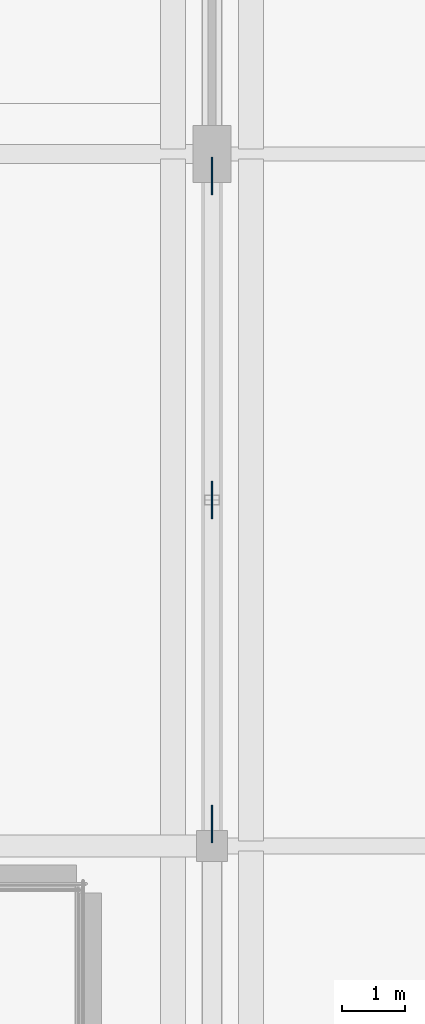
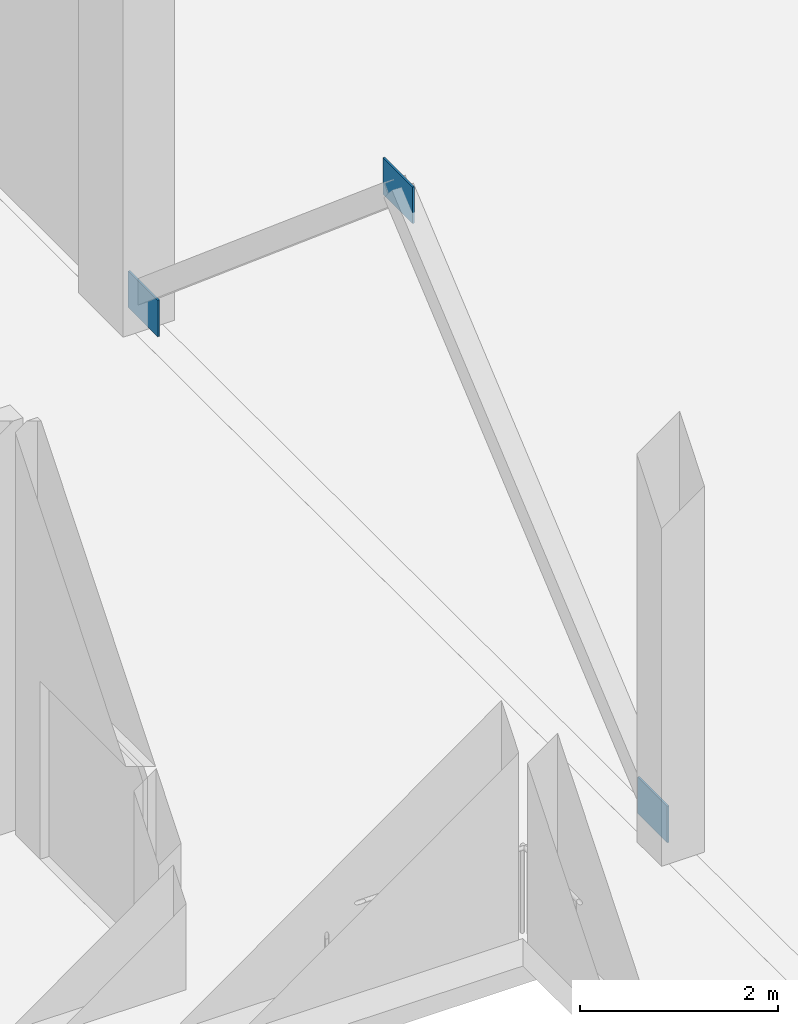
# One storey, part 53 of 120: 3 plates.
"""IFC4 building model written with IfcOpenShell, lengths in metres."""

from ifc_helpers import new_model, si_unit, direction, frame, origin, origin_2d, place, context, subcontext, project, spatial, rectangle, extrude, material, layer, layer_set, type_object, element, save


model = new_model("IFC4")

# Units and contexts
model_context = context("Model", 3, precision=1e-05, world=origin(), true_north=direction((0.0, 1.0)))
body_context = subcontext(model_context, "Body", "Model", "MODEL_VIEW")
ifc_project = project(units=[si_unit("LENGTHUNIT", "METRE"), si_unit("AREAUNIT", "SQUARE_METRE"), si_unit("VOLUMEUNIT", "CUBIC_METRE"), si_unit("PLANEANGLEUNIT", "RADIAN"), si_unit("MASSUNIT", "GRAM", prefix="KILO")], contexts=[model_context])

# Site, building, storey
site_placement = place(None, origin())
site = spatial("IfcSite", under=ifc_project, at=site_placement, CompositionType="ELEMENT")
building_placement = place(site_placement, origin())
building = spatial("IfcBuilding", under=site, at=building_placement, Name="Luwafu Chhajja Arena", CompositionType="ELEMENT")
storey_placement = place(building_placement, origin())
storey = spatial("IfcBuildingStorey", under=building, at=storey_placement, Name="L00", CompositionType="ELEMENT", Elevation=0.0)

# Plates
ifc_material = material(Name="Steel S355", Category="steel")
ifc_layer = layer(ifc_material, 0.02197265625, Name="Steel S355")
ifc_layer_set = layer_set([ifc_layer], Name="Steel S355")
plate_type = type_object("IfcPlateType", Name="Lateral Brace Gusset Plate BN-1", PredefinedType="USERDEFINED", material=ifc_layer_set)
for number, where, z_axis, x_axis, name in (
    (1, (164.0, 27.5, 4.544921875), (0.0, 0.0, 1.0), (1.0, 0.0, 0.0), "L00 Chevron Apex Gusset Plate BN-1 07"),
    (2, (164.0, 22.35009765625, 0.02490234375), (0.0, 0.0, 1.0), (1.0, 0.0, 0.0), "L00 Brace Base Gusset BN-1 07A"),
    (3, (164.0, 32.64990234375, 0.02490234375), (0.0, 0.0, 1.0), (1.0, 0.0, 0.0), "L00 Brace Base Gusset BN-1 07B"),
):
    element("IfcPlate", number, at=place(storey_placement, frame(where, z_axis=z_axis, x_axis=x_axis)), inside=storey, type_object=plate_type, Name=name, ObjectType="GUSSET PLATE", PredefinedType="USERDEFINED", context=body_context, shape_type="SweptSolid", body=[
        extrude(rectangle(XDim=0.02197265625, YDim=0.60009765625, at=origin_2d()), origin(), (0.0, 0.0, 1.0), 0.449951171875),
    ])

save(model, "model.ifc")
